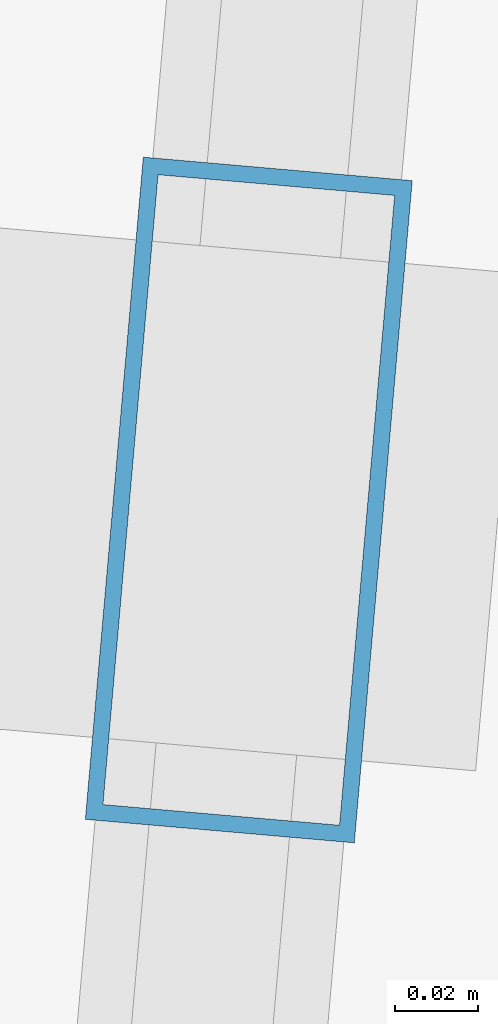
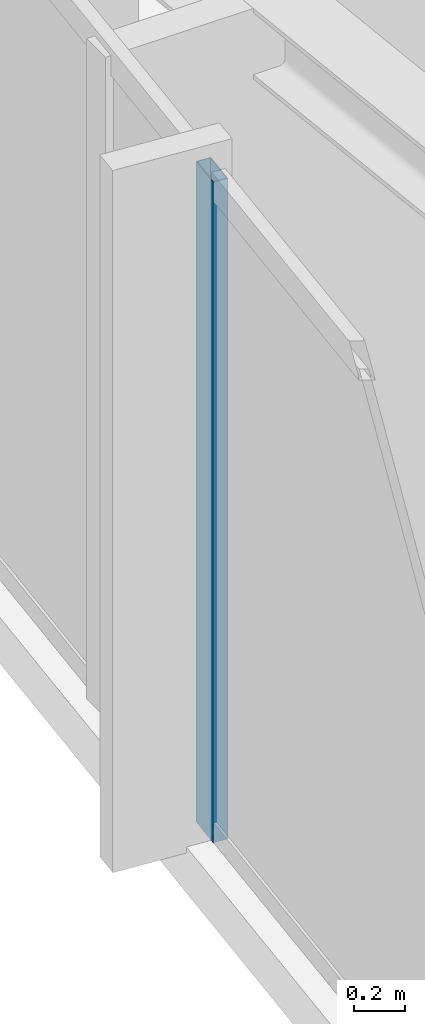
# One storey, part 5 of 32: 1 member, 1 element without a shape of its own.
"""IFC4 building model written with IfcOpenShell, lengths in metres."""

from ifc_helpers import new_model, si_unit, direction, frame, origin, origin_2d, place, context, subcontext, project, spatial, hollow_rectangle, extrude, material, material_profile, profile_set, type_object, element, aggregate, save


model = new_model("IFC4")

# Units and contexts
model_context = context("Model", 3, precision=1e-05, world=origin(), true_north=direction((0.0, 1.0)))
body_context = subcontext(model_context, "Body", "Model", "MODEL_VIEW")
ifc_project = project(units=[si_unit("LENGTHUNIT", "METRE"), si_unit("AREAUNIT", "SQUARE_METRE"), si_unit("VOLUMEUNIT", "CUBIC_METRE"), si_unit("PLANEANGLEUNIT", "RADIAN"), si_unit("MASSUNIT", "GRAM", prefix="KILO")], contexts=[model_context])

# Site, building, storey
site_placement = place(None, origin())
site = spatial("IfcSite", under=ifc_project, at=site_placement, CompositionType="ELEMENT")
building_placement = place(site_placement, origin())
building = spatial("IfcBuilding", under=site, at=building_placement, Name="Yelkora Congress Tower", CompositionType="ELEMENT")
storey_placement = place(building_placement, frame((0.0, 0.0, 293.10009765625)))
storey = spatial("IfcBuildingStorey", under=building, at=storey_placement, Name="L82", CompositionType="ELEMENT", Elevation=293.10009765625)

# Curtain wall, member
ifc_material_1 = material(Name="Anodised aluminium and insulated glass", Category="aluminium")
curtain_wall_type = type_object("IfcCurtainWallType", Name="CW-SYS-B5", PredefinedType="NOTDEFINED", material=ifc_material_1)
curtain_wall_placement = place(storey_placement, origin())
curtain_wall = element("IfcCurtainWall", 1, at=curtain_wall_placement, inside=storey, type_object=curtain_wall_type, Name="L82 Unitised Curtain Wall 5", PredefinedType="NOTDEFINED")
ifc_material_2 = material(Name="Anodised aluminium 6063-T6", Category="aluminium")
ifc_material_profile = material_profile(ifc_material_2, hollow_rectangle(XDim=0.06494140625, YDim=0.159912109375, WallThickness=0.00390625, at=origin_2d()), Name="ALU 65x160x4")
ifc_profile_set = profile_set([ifc_material_profile], Name="Anodised aluminium 6063-T6")
member_type = type_object("IfcMemberType", Name="MEM-ML-B5", PredefinedType="MULLION", material=ifc_profile_set)
member_placement = place(storey_placement, frame((6.313720703125, 28.49658203125, 0.0), z_axis=(0.0, 0.0, 1.0), x_axis=(-0.996194785929, 0.08715473876, 0.0)))
member = element("IfcMember", 2, at=member_placement, type_object=member_type, Name="CW-B5 mullion 2", PredefinedType="MULLION", context=body_context, shape_type="SweptSolid", body=[
    extrude(hollow_rectangle(XDim=0.06494140625, YDim=0.159912109375, WallThickness=0.00390625, at=origin_2d()), origin(), (0.0, 0.0, 1.0), 3.179931640625),
])
aggregate(curtain_wall, [member])

save(model, "model.ifc")
